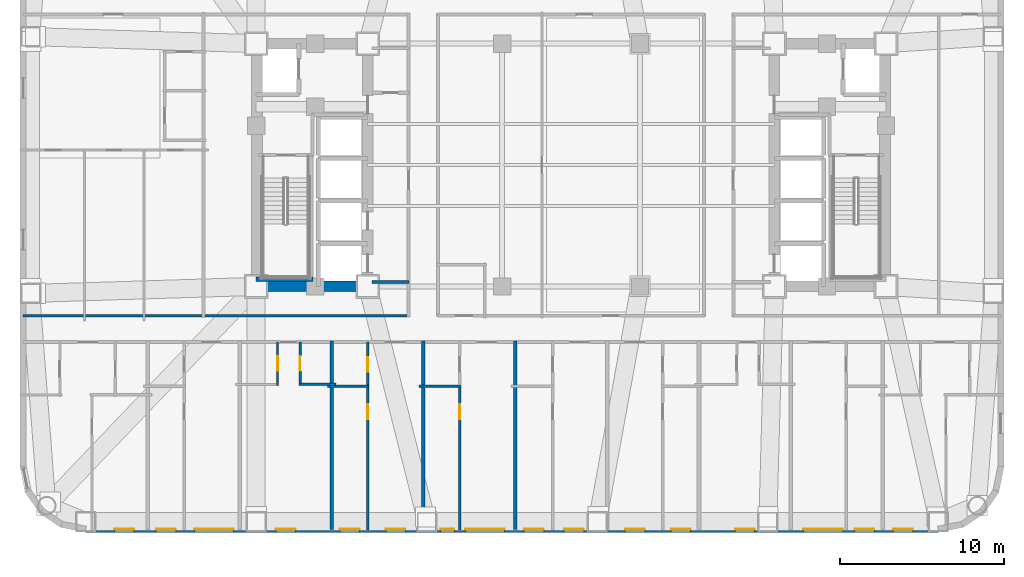
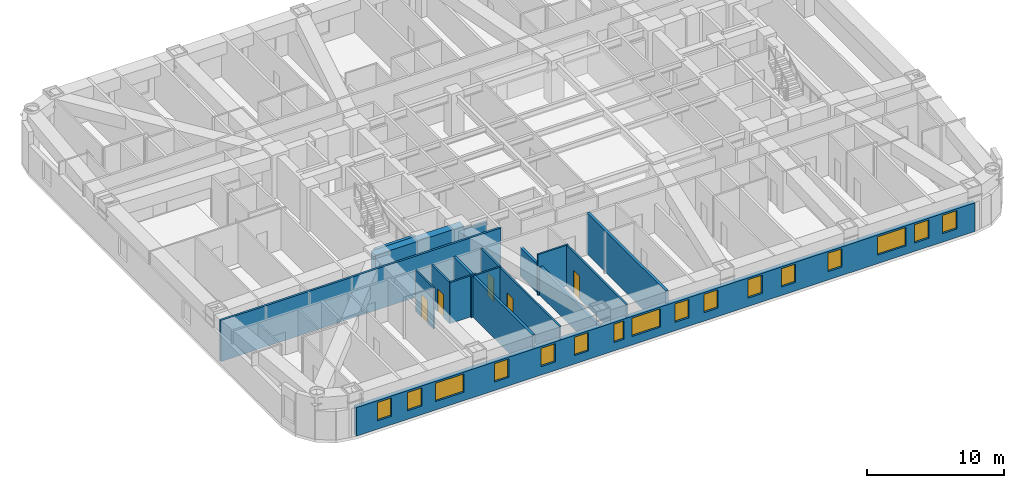
# One storey, part 3 of 12: 16 walls, 16 windows, 5 doors, 21 openings.
"""IFC4 building model written with IfcOpenShell, lengths in metres."""

from ifc_helpers import new_model, si_unit, direction, frame, frame_2d, origin, place, context, subcontext, project, spatial, rectangle, extrude, material, layer, layer_set, type_object, element, fill, save


model = new_model("IFC4")

# Units and contexts
model_context = context("Model", 3, precision=1e-05, world=origin(), true_north=direction((0.0, 1.0)))
body_context = subcontext(model_context, "Body", "Model", "MODEL_VIEW")
ifc_project = project(units=[si_unit("LENGTHUNIT", "METRE"), si_unit("AREAUNIT", "SQUARE_METRE"), si_unit("VOLUMEUNIT", "CUBIC_METRE"), si_unit("PLANEANGLEUNIT", "RADIAN"), si_unit("MASSUNIT", "GRAM", prefix="KILO")], contexts=[model_context])

# Site, building, storey
site_placement = place(None, origin())
site = spatial("IfcSite", under=ifc_project, at=site_placement, CompositionType="ELEMENT")
building_placement = place(site_placement, origin())
building = spatial("IfcBuilding", under=site, at=building_placement, Name="Voryun Gate Residences", CompositionType="ELEMENT")
storey_placement = place(building_placement, frame((0.0, 0.0, 29.89990234375)))
storey = spatial("IfcBuildingStorey", under=building, at=storey_placement, Name="L06", CompositionType="ELEMENT", Elevation=29.89990234375)

# Walls
ifc_material_1 = material(Name="Concrete C60/75", Category="concrete")
ifc_layer_1 = layer(ifc_material_1, 0.64990234375, Name="CW_CORE_650")
ifc_layer_set_1 = layer_set([ifc_layer_1], Name="Concrete C60/75")
wall_type_1 = type_object("IfcWallType", Name="CW_CORE_650", PredefinedType="SHEAR", material=ifc_layer_set_1)
wall_1_placement = place(storey_placement, frame((-19.52490234375, -7.39990234375, 0.0), z_axis=(0.0, 0.0, 1.0), x_axis=(1.0, 0.0, 0.0)))
element("IfcWall", 1, at=wall_1_placement, inside=storey, type_object=wall_type_1, Name="L06 Core shear wall CW-L06-WS", PredefinedType="SHEAR", context=body_context, shape_type="SweptSolid", body=[
    extrude(rectangle(XDim=7.449951171875, YDim=0.64990234375, at=frame_2d((3.72509765625, 0.0))), origin(), (0.0, 0.0, 1.0), 3.650146484375),
])
ifc_material_2 = material(Name="Gypsum acoustic fireboard")
ifc_layer_2 = layer(ifc_material_2, 0.179931640625, Name="W_CORR_RATED_180")
ifc_layer_set_2 = layer_set([ifc_layer_2], Name="Gypsum acoustic fireboard")
wall_type_2 = type_object("IfcWallType", Name="W_CORR_RATED_180", PredefinedType="PARTITIONING", material=ifc_layer_set_2)
wall_2_placement = place(storey_placement, frame((-12.14990234375, -7.1201171875, 0.0), z_axis=(0.0, 0.0, 1.0), x_axis=(1.0, 0.0, 0.0)))
element("IfcWall", 2, at=wall_2_placement, inside=storey, type_object=wall_type_2, Name="Partition wall WP-L06-PLBS-W", PredefinedType="PARTITIONING", context=body_context, shape_type="SweptSolid", body=[
    extrude(rectangle(XDim=2.27001953125, YDim=0.179931640625, at=frame_2d((1.135009765625, 0.0))), origin(), (0.0, 0.0, 1.0), 2.940185546875),
])
wall_3_placement = place(storey_placement, frame((-33.409912109375, -9.18994140625, 0.0), z_axis=(0.0, 0.0, 1.0), x_axis=(1.0, 0.0, 0.0)))
element("IfcWall", 3, at=wall_3_placement, inside=storey, type_object=wall_type_2, Name="Partition wall WP-L06-CWING-WS", PredefinedType="PARTITIONING", context=body_context, shape_type="SweptSolid", body=[
    extrude(rectangle(XDim=23.530029296875, YDim=0.179931640625, at=frame_2d((11.76513671875, 0.0))), origin(), (0.0, 0.0, 1.0), 3.650146484375),
])

# Wall, openings, windows
ifc_material_3 = material(Name="Granite masonry", Category="masonry")
ifc_layer_3 = layer(ifc_material_3, 0.3798828125, Name="W_EXT_GRANITE_380")
ifc_layer_set_3 = layer_set([ifc_layer_3], Name="Granite masonry")
wall_type_3 = type_object("IfcWallType", Name="W_EXT_GRANITE_380", PredefinedType="ELEMENTEDWALL", material=ifc_layer_set_3)
wall_4_placement = place(storey_placement, frame((22.38134765625, -22.2099609375, 0.0), z_axis=(0.0, 0.0, 1.0), x_axis=(-1.0, 0.0, 0.0)))
wall_4 = element("IfcWall", 4, at=wall_4_placement, inside=storey, type_object=wall_type_3, Name="Exterior wall WEXT-L06-01", PredefinedType="ELEMENTEDWALL", context=body_context, shape_type="SweptSolid", body=[
    extrude(rectangle(XDim=51.962646484375, YDim=0.3798828125, at=frame_2d((25.9814453125, 0.0))), origin(), (0.0, 0.0, 1.0), 2.5400390625),
])
opening_1_placement = place(wall_4_placement, frame((5.810302734375, 0.0, 0.75)))
opening_1 = element("IfcOpeningElement", 5, at=opening_1_placement, cuts=wall_4, Name="Opening WN2", PredefinedType="OPENING", context=body_context, shape_type="SweptSolid", body=[
    extrude(rectangle(XDim=2.39990234375, YDim=1.6298828125, at=frame_2d((1.199951171875, 0.81494140625))), frame((0.0, 0.199951171875, 0.0), z_axis=(0.0, -1.0, 0.0), x_axis=(1.0, 0.0, 0.0)), (0.0, 0.0, 1.0), 0.39990234375),
])
opening_2_placement = place(wall_4_placement, frame((26.431396484375, 0.0, 0.75)))
opening_2 = element("IfcOpeningElement", 6, at=opening_2_placement, cuts=wall_4, Name="Opening WN2", PredefinedType="OPENING", context=body_context, shape_type="SweptSolid", body=[
    extrude(rectangle(XDim=2.39990234375, YDim=1.6298828125, at=frame_2d((1.199951171875, 0.81494140625))), frame((0.0, 0.199951171875, 0.0), z_axis=(0.0, -1.0, 0.0), x_axis=(1.0, 0.0, 0.0)), (0.0, 0.0, 1.0), 0.39990234375),
])
opening_3_placement = place(wall_4_placement, frame((42.9521484375, 0.0, 0.75)))
opening_3 = element("IfcOpeningElement", 7, at=opening_3_placement, cuts=wall_4, Name="Opening WN2", PredefinedType="OPENING", context=body_context, shape_type="SweptSolid", body=[
    extrude(rectangle(XDim=2.39990234375, YDim=1.6298828125, at=frame_2d((1.199951171875, 0.81494140625))), frame((0.0, 0.199951171875, 0.0), z_axis=(0.0, -1.0, 0.0), x_axis=(1.0, 0.0, 0.0)), (0.0, 0.0, 1.0), 0.39990234375),
])
opening_4_placement = place(wall_4_placement, frame((49.02685546875, 0.0, 0.75)))
opening_4 = element("IfcOpeningElement", 8, at=opening_4_placement, cuts=wall_4, Name="Opening WN6", PredefinedType="OPENING", context=body_context, shape_type="SweptSolid", body=[
    extrude(rectangle(XDim=1.199951171875, YDim=1.6298828125, at=frame_2d((0.60009765625, 0.81494140625))), frame((0.0, 0.199951171875, 0.0), z_axis=(0.0, -1.0, 0.0), x_axis=(1.0, 0.0, 0.0)), (0.0, 0.0, 1.0), 0.39990234375),
])
opening_5_placement = place(wall_4_placement, frame((46.476318359375, 0.0, 0.75)))
opening_5 = element("IfcOpeningElement", 9, at=opening_5_placement, cuts=wall_4, Name="Opening WN6", PredefinedType="OPENING", context=body_context, shape_type="SweptSolid", body=[
    extrude(rectangle(XDim=1.199951171875, YDim=1.6298828125, at=frame_2d((0.60009765625, 0.81494140625))), frame((0.0, 0.199951171875, 0.0), z_axis=(0.0, -1.0, 0.0), x_axis=(1.0, 0.0, 0.0)), (0.0, 0.0, 1.0), 0.39990234375),
])
opening_6_placement = place(wall_4_placement, frame((39.181396484375, 0.0, 0.75)))
opening_6 = element("IfcOpeningElement", 10, at=opening_6_placement, cuts=wall_4, Name="Opening WN6", PredefinedType="OPENING", context=body_context, shape_type="SweptSolid", body=[
    extrude(rectangle(XDim=1.199951171875, YDim=1.6298828125, at=frame_2d((0.60009765625, 0.81494140625))), frame((0.0, 0.199951171875, 0.0), z_axis=(0.0, -1.0, 0.0), x_axis=(1.0, 0.0, 0.0)), (0.0, 0.0, 1.0), 0.39990234375),
])
opening_7_placement = place(wall_4_placement, frame((32.476318359375, 0.0, 0.75)))
opening_7 = element("IfcOpeningElement", 11, at=opening_7_placement, cuts=wall_4, Name="Opening WN6", PredefinedType="OPENING", context=body_context, shape_type="SweptSolid", body=[
    extrude(rectangle(XDim=1.199951171875, YDim=1.6298828125, at=frame_2d((0.60009765625, 0.81494140625))), frame((0.0, 0.199951171875, 0.0), z_axis=(0.0, -1.0, 0.0), x_axis=(1.0, 0.0, 0.0)), (0.0, 0.0, 1.0), 0.39990234375),
])
opening_8_placement = place(wall_4_placement, frame((35.2763671875, 0.0, 0.75)))
opening_8 = element("IfcOpeningElement", 12, at=opening_8_placement, cuts=wall_4, Name="Opening WN6", PredefinedType="OPENING", context=body_context, shape_type="SweptSolid", body=[
    extrude(rectangle(XDim=1.199951171875, YDim=1.6298828125, at=frame_2d((0.60009765625, 0.81494140625))), frame((0.0, 0.199951171875, 0.0), z_axis=(0.0, -1.0, 0.0), x_axis=(1.0, 0.0, 0.0)), (0.0, 0.0, 1.0), 0.39990234375),
])
opening_9_placement = place(wall_4_placement, frame((29.4912109375, 0.0, 0.75)))
opening_9 = element("IfcOpeningElement", 13, at=opening_9_placement, cuts=wall_4, Name="Opening WN9", PredefinedType="OPENING", context=body_context, shape_type="SweptSolid", body=[
    extrude(rectangle(XDim=0.85009765625, YDim=1.6298828125, at=frame_2d((0.425048828125, 0.81494140625))), frame((0.0, 0.199951171875, 0.0), z_axis=(0.0, -1.0, 0.0), x_axis=(1.0, 0.0, 0.0)), (0.0, 0.0, 1.0), 0.39990234375),
])
opening_10_placement = place(wall_4_placement, frame((21.59619140625, 0.0, 0.75)))
opening_10 = element("IfcOpeningElement", 14, at=opening_10_placement, cuts=wall_4, Name="Opening WN6", PredefinedType="OPENING", context=body_context, shape_type="SweptSolid", body=[
    extrude(rectangle(XDim=1.199951171875, YDim=1.6298828125, at=frame_2d((0.60009765625, 0.81494140625))), frame((0.0, 0.199951171875, 0.0), z_axis=(0.0, -1.0, 0.0), x_axis=(1.0, 0.0, 0.0)), (0.0, 0.0, 1.0), 0.39990234375),
])
opening_11_placement = place(wall_4_placement, frame((24.036376953125, 0.0, 0.75)))
opening_11 = element("IfcOpeningElement", 15, at=opening_11_placement, cuts=wall_4, Name="Opening WN6", PredefinedType="OPENING", context=body_context, shape_type="SweptSolid", body=[
    extrude(rectangle(XDim=1.199951171875, YDim=1.6298828125, at=frame_2d((0.60009765625, 0.81494140625))), frame((0.0, 0.199951171875, 0.0), z_axis=(0.0, -1.0, 0.0), x_axis=(1.0, 0.0, 0.0)), (0.0, 0.0, 1.0), 0.39990234375),
])
opening_12_placement = place(wall_4_placement, frame((17.88623046875, 0.0, 0.75)))
opening_12 = element("IfcOpeningElement", 16, at=opening_12_placement, cuts=wall_4, Name="Opening WN6", PredefinedType="OPENING", context=body_context, shape_type="SweptSolid", body=[
    extrude(rectangle(XDim=1.199951171875, YDim=1.6298828125, at=frame_2d((0.60009765625, 0.81494140625))), frame((0.0, 0.199951171875, 0.0), z_axis=(0.0, -1.0, 0.0), x_axis=(1.0, 0.0, 0.0)), (0.0, 0.0, 1.0), 0.39990234375),
])
opening_13_placement = place(wall_4_placement, frame((15.086181640625, 0.0, 0.75)))
opening_13 = element("IfcOpeningElement", 17, at=opening_13_placement, cuts=wall_4, Name="Opening WN6", PredefinedType="OPENING", context=body_context, shape_type="SweptSolid", body=[
    extrude(rectangle(XDim=1.199951171875, YDim=1.6298828125, at=frame_2d((0.60009765625, 0.81494140625))), frame((0.0, 0.199951171875, 0.0), z_axis=(0.0, -1.0, 0.0), x_axis=(1.0, 0.0, 0.0)), (0.0, 0.0, 1.0), 0.39990234375),
])
opening_14_placement = place(wall_4_placement, frame((11.181396484375, 0.0, 0.75)))
opening_14 = element("IfcOpeningElement", 18, at=opening_14_placement, cuts=wall_4, Name="Opening WN6", PredefinedType="OPENING", context=body_context, shape_type="SweptSolid", body=[
    extrude(rectangle(XDim=1.199951171875, YDim=1.6298828125, at=frame_2d((0.60009765625, 0.81494140625))), frame((0.0, 0.199951171875, 0.0), z_axis=(0.0, -1.0, 0.0), x_axis=(1.0, 0.0, 0.0)), (0.0, 0.0, 1.0), 0.39990234375),
])
opening_15_placement = place(wall_4_placement, frame((3.88623046875, 0.0, 0.75)))
opening_15 = element("IfcOpeningElement", 19, at=opening_15_placement, cuts=wall_4, Name="Opening WN6", PredefinedType="OPENING", context=body_context, shape_type="SweptSolid", body=[
    extrude(rectangle(XDim=1.199951171875, YDim=1.6298828125, at=frame_2d((0.60009765625, 0.81494140625))), frame((0.0, 0.199951171875, 0.0), z_axis=(0.0, -1.0, 0.0), x_axis=(1.0, 0.0, 0.0)), (0.0, 0.0, 1.0), 0.39990234375),
])
opening_16_placement = place(wall_4_placement, frame((1.53564453125, 0.0, 0.75)))
opening_16 = element("IfcOpeningElement", 20, at=opening_16_placement, cuts=wall_4, Name="Opening WN6", PredefinedType="OPENING", context=body_context, shape_type="SweptSolid", body=[
    extrude(rectangle(XDim=1.199951171875, YDim=1.6298828125, at=frame_2d((0.60009765625, 0.81494140625))), frame((0.0, 0.199951171875, 0.0), z_axis=(0.0, -1.0, 0.0), x_axis=(1.0, 0.0, 0.0)), (0.0, 0.0, 1.0), 0.39990234375),
])
ifc_material_4 = material(Name="Laminated low-E glass", Category="glass")
window_type_1 = type_object("IfcWindowType", Name="WN_POD_SLOT_1200", PartitioningType="SINGLE_PANEL", PredefinedType="WINDOW", material=ifc_material_4)
window_1_placement = place(opening_4_placement, origin())
window_1 = element("IfcWindow", 21, at=window_1_placement, inside=storey, type_object=window_type_1, Name="Window WN-L06-DWFIX-17", OverallHeight=1.6298828125, OverallWidth=1.199951171875, PartitioningType="SINGLE_PANEL", PredefinedType="WINDOW", context=body_context, shape_type="SweptSolid", body=[
    extrude(rectangle(XDim=1.199951171875, YDim=1.6298828125, at=frame_2d((0.60009765625, 0.81494140625))), frame((0.0, 0.030029296875, 0.0), z_axis=(0.0, -1.0, 0.0), x_axis=(1.0, 0.0, 0.0)), (0.0, 0.0, 1.0), 0.06005859375),
])
fill(opening_4, window_1)
window_2_placement = place(opening_5_placement, origin())
window_2 = element("IfcWindow", 22, at=window_2_placement, inside=storey, type_object=window_type_1, Name="Window WN-L06-DWFIX-18", OverallHeight=1.6298828125, OverallWidth=1.199951171875, PartitioningType="SINGLE_PANEL", PredefinedType="WINDOW", context=body_context, shape_type="SweptSolid", body=[
    extrude(rectangle(XDim=1.199951171875, YDim=1.6298828125, at=frame_2d((0.60009765625, 0.81494140625))), frame((0.0, 0.030029296875, 0.0), z_axis=(0.0, -1.0, 0.0), x_axis=(1.0, 0.0, 0.0)), (0.0, 0.0, 1.0), 0.06005859375),
])
fill(opening_5, window_2)
window_3_placement = place(opening_6_placement, origin())
window_3 = element("IfcWindow", 23, at=window_3_placement, inside=storey, type_object=window_type_1, Name="Window WN-L06-DWFIX-19", OverallHeight=1.6298828125, OverallWidth=1.199951171875, PartitioningType="SINGLE_PANEL", PredefinedType="WINDOW", context=body_context, shape_type="SweptSolid", body=[
    extrude(rectangle(XDim=1.199951171875, YDim=1.6298828125, at=frame_2d((0.60009765625, 0.81494140625))), frame((0.0, 0.030029296875, 0.0), z_axis=(0.0, -1.0, 0.0), x_axis=(1.0, 0.0, 0.0)), (0.0, 0.0, 1.0), 0.06005859375),
])
fill(opening_6, window_3)
window_4_placement = place(opening_7_placement, origin())
window_4 = element("IfcWindow", 24, at=window_4_placement, inside=storey, type_object=window_type_1, Name="Window WN-L06-DWFIX-20", OverallHeight=1.6298828125, OverallWidth=1.199951171875, PartitioningType="SINGLE_PANEL", PredefinedType="WINDOW", context=body_context, shape_type="SweptSolid", body=[
    extrude(rectangle(XDim=1.199951171875, YDim=1.6298828125, at=frame_2d((0.60009765625, 0.81494140625))), frame((0.0, 0.030029296875, 0.0), z_axis=(0.0, -1.0, 0.0), x_axis=(1.0, 0.0, 0.0)), (0.0, 0.0, 1.0), 0.06005859375),
])
fill(opening_7, window_4)
window_5_placement = place(opening_8_placement, origin())
window_5 = element("IfcWindow", 25, at=window_5_placement, inside=storey, type_object=window_type_1, Name="Window WN-L06-DWFIX-21", OverallHeight=1.6298828125, OverallWidth=1.199951171875, PartitioningType="SINGLE_PANEL", PredefinedType="WINDOW", context=body_context, shape_type="SweptSolid", body=[
    extrude(rectangle(XDim=1.199951171875, YDim=1.6298828125, at=frame_2d((0.60009765625, 0.81494140625))), frame((0.0, 0.030029296875, 0.0), z_axis=(0.0, -1.0, 0.0), x_axis=(1.0, 0.0, 0.0)), (0.0, 0.0, 1.0), 0.06005859375),
])
fill(opening_8, window_5)
window_6_placement = place(opening_10_placement, origin())
window_6 = element("IfcWindow", 26, at=window_6_placement, inside=storey, type_object=window_type_1, Name="Window WN-L06-DWFIX-23", OverallHeight=1.6298828125, OverallWidth=1.199951171875, PartitioningType="SINGLE_PANEL", PredefinedType="WINDOW", context=body_context, shape_type="SweptSolid", body=[
    extrude(rectangle(XDim=1.199951171875, YDim=1.6298828125, at=frame_2d((0.60009765625, 0.81494140625))), frame((0.0, 0.030029296875, 0.0), z_axis=(0.0, -1.0, 0.0), x_axis=(1.0, 0.0, 0.0)), (0.0, 0.0, 1.0), 0.06005859375),
])
fill(opening_10, window_6)
window_7_placement = place(opening_11_placement, origin())
window_7 = element("IfcWindow", 27, at=window_7_placement, inside=storey, type_object=window_type_1, Name="Window WN-L06-DWFIX-24", OverallHeight=1.6298828125, OverallWidth=1.199951171875, PartitioningType="SINGLE_PANEL", PredefinedType="WINDOW", context=body_context, shape_type="SweptSolid", body=[
    extrude(rectangle(XDim=1.199951171875, YDim=1.6298828125, at=frame_2d((0.60009765625, 0.81494140625))), frame((0.0, 0.030029296875, 0.0), z_axis=(0.0, -1.0, 0.0), x_axis=(1.0, 0.0, 0.0)), (0.0, 0.0, 1.0), 0.06005859375),
])
fill(opening_11, window_7)
window_8_placement = place(opening_12_placement, origin())
window_8 = element("IfcWindow", 28, at=window_8_placement, inside=storey, type_object=window_type_1, Name="Window WN-L06-DWFIX-25", OverallHeight=1.6298828125, OverallWidth=1.199951171875, PartitioningType="SINGLE_PANEL", PredefinedType="WINDOW", context=body_context, shape_type="SweptSolid", body=[
    extrude(rectangle(XDim=1.199951171875, YDim=1.6298828125, at=frame_2d((0.60009765625, 0.81494140625))), frame((0.0, 0.030029296875, 0.0), z_axis=(0.0, -1.0, 0.0), x_axis=(1.0, 0.0, 0.0)), (0.0, 0.0, 1.0), 0.06005859375),
])
fill(opening_12, window_8)
window_9_placement = place(opening_13_placement, origin())
window_9 = element("IfcWindow", 29, at=window_9_placement, inside=storey, type_object=window_type_1, Name="Window WN-L06-DWFIX-26", OverallHeight=1.6298828125, OverallWidth=1.199951171875, PartitioningType="SINGLE_PANEL", PredefinedType="WINDOW", context=body_context, shape_type="SweptSolid", body=[
    extrude(rectangle(XDim=1.199951171875, YDim=1.6298828125, at=frame_2d((0.60009765625, 0.81494140625))), frame((0.0, 0.030029296875, 0.0), z_axis=(0.0, -1.0, 0.0), x_axis=(1.0, 0.0, 0.0)), (0.0, 0.0, 1.0), 0.06005859375),
])
fill(opening_13, window_9)
window_10_placement = place(opening_14_placement, origin())
window_10 = element("IfcWindow", 30, at=window_10_placement, inside=storey, type_object=window_type_1, Name="Window WN-L06-DWFIX-27", OverallHeight=1.6298828125, OverallWidth=1.199951171875, PartitioningType="SINGLE_PANEL", PredefinedType="WINDOW", context=body_context, shape_type="SweptSolid", body=[
    extrude(rectangle(XDim=1.199951171875, YDim=1.6298828125, at=frame_2d((0.60009765625, 0.81494140625))), frame((0.0, 0.030029296875, 0.0), z_axis=(0.0, -1.0, 0.0), x_axis=(1.0, 0.0, 0.0)), (0.0, 0.0, 1.0), 0.06005859375),
])
fill(opening_14, window_10)
window_11_placement = place(opening_15_placement, origin())
window_11 = element("IfcWindow", 31, at=window_11_placement, inside=storey, type_object=window_type_1, Name="Window WN-L06-DWFIX-28", OverallHeight=1.6298828125, OverallWidth=1.199951171875, PartitioningType="SINGLE_PANEL", PredefinedType="WINDOW", context=body_context, shape_type="SweptSolid", body=[
    extrude(rectangle(XDim=1.199951171875, YDim=1.6298828125, at=frame_2d((0.60009765625, 0.81494140625))), frame((0.0, 0.030029296875, 0.0), z_axis=(0.0, -1.0, 0.0), x_axis=(1.0, 0.0, 0.0)), (0.0, 0.0, 1.0), 0.06005859375),
])
fill(opening_15, window_11)
window_12_placement = place(opening_16_placement, origin())
window_12 = element("IfcWindow", 32, at=window_12_placement, inside=storey, type_object=window_type_1, Name="Window WN-L06-DWFIX-29", OverallHeight=1.6298828125, OverallWidth=1.199951171875, PartitioningType="SINGLE_PANEL", PredefinedType="WINDOW", context=body_context, shape_type="SweptSolid", body=[
    extrude(rectangle(XDim=1.199951171875, YDim=1.6298828125, at=frame_2d((0.60009765625, 0.81494140625))), frame((0.0, 0.030029296875, 0.0), z_axis=(0.0, -1.0, 0.0), x_axis=(1.0, 0.0, 0.0)), (0.0, 0.0, 1.0), 0.06005859375),
])
fill(opening_16, window_12)
ifc_material_5 = material(Name="Laminated low-E glass", Category="glass")
window_type_2 = type_object("IfcWindowType", Name="WN_RES_CASEMENT_850", PartitioningType="SINGLE_PANEL", PredefinedType="WINDOW", material=ifc_material_5)
window_13_placement = place(opening_9_placement, origin())
window_13 = element("IfcWindow", 33, at=window_13_placement, inside=storey, type_object=window_type_2, Name="Window WN-L06-DWFIX-22", OverallHeight=1.6298828125, OverallWidth=0.85009765625, PartitioningType="SINGLE_PANEL", PredefinedType="WINDOW", context=body_context, shape_type="SweptSolid", body=[
    extrude(rectangle(XDim=0.85009765625, YDim=1.6298828125, at=frame_2d((0.425048828125, 0.81494140625))), frame((0.0, 0.030029296875, 0.0), z_axis=(0.0, -1.0, 0.0), x_axis=(1.0, 0.0, 0.0)), (0.0, 0.0, 1.0), 0.06005859375),
])
fill(opening_9, window_13)
ifc_material_6 = material(Name="Laminated low-E glass", Category="glass")
window_type_3 = type_object("IfcWindowType", Name="WN_RES_WIDE_2400", PartitioningType="SINGLE_PANEL", PredefinedType="WINDOW", material=ifc_material_6)
window_14_placement = place(opening_1_placement, origin())
window_14 = element("IfcWindow", 34, at=window_14_placement, inside=storey, type_object=window_type_3, Name="Window WN-WEXT-L06-01-01", OverallHeight=1.6298828125, OverallWidth=2.39990234375, PartitioningType="SINGLE_PANEL", PredefinedType="WINDOW", context=body_context, shape_type="SweptSolid", body=[
    extrude(rectangle(XDim=2.39990234375, YDim=1.6298828125, at=frame_2d((1.199951171875, 0.81494140625))), frame((0.0, 0.030029296875, 0.0), z_axis=(0.0, -1.0, 0.0), x_axis=(1.0, 0.0, 0.0)), (0.0, 0.0, 1.0), 0.06005859375),
])
fill(opening_1, window_14)
window_15_placement = place(opening_2_placement, origin())
window_15 = element("IfcWindow", 35, at=window_15_placement, inside=storey, type_object=window_type_3, Name="Window WN-WEXT-L06-01-02", OverallHeight=1.6298828125, OverallWidth=2.39990234375, PartitioningType="SINGLE_PANEL", PredefinedType="WINDOW", context=body_context, shape_type="SweptSolid", body=[
    extrude(rectangle(XDim=2.39990234375, YDim=1.6298828125, at=frame_2d((1.199951171875, 0.81494140625))), frame((0.0, 0.030029296875, 0.0), z_axis=(0.0, -1.0, 0.0), x_axis=(1.0, 0.0, 0.0)), (0.0, 0.0, 1.0), 0.06005859375),
])
fill(opening_2, window_15)
window_16_placement = place(opening_3_placement, origin())
window_16 = element("IfcWindow", 36, at=window_16_placement, inside=storey, type_object=window_type_3, Name="Window WN-WEXT-L06-01-03", OverallHeight=1.6298828125, OverallWidth=2.39990234375, PartitioningType="SINGLE_PANEL", PredefinedType="WINDOW", context=body_context, shape_type="SweptSolid", body=[
    extrude(rectangle(XDim=2.39990234375, YDim=1.6298828125, at=frame_2d((1.199951171875, 0.81494140625))), frame((0.0, 0.030029296875, 0.0), z_axis=(0.0, -1.0, 0.0), x_axis=(1.0, 0.0, 0.0)), (0.0, 0.0, 1.0), 0.06005859375),
])
fill(opening_3, window_16)

# Walls
ifc_material_7 = material(Name="Concrete C40/50", Category="concrete")
ifc_layer_4 = layer(ifc_material_7, 0.219970703125, Name="W_PARTY_ACOUSTIC_220")
ifc_layer_set_4 = layer_set([ifc_layer_4], Name="Concrete C40/50")
wall_type_4 = type_object("IfcWallType", Name="W_PARTY_ACOUSTIC_220", PredefinedType="PARTITIONING", material=ifc_layer_set_4)
wall_5_placement = place(storey_placement, frame((-14.60009765625, -22.2099609375, 0.0), z_axis=(0.0, 0.0, 1.0), x_axis=(0.0, 1.0, 0.0)))
element("IfcWall", 37, at=wall_5_placement, inside=storey, type_object=wall_type_4, Name="Partition wall WP-L06-SPTY-3", PredefinedType="PARTITIONING", context=body_context, shape_type="SweptSolid", body=[
    extrude(rectangle(XDim=11.489990234375, YDim=0.219970703125, at=frame_2d((5.7451171875, 0.0))), origin(), (0.0, 0.0, 1.0), 3.650146484375),
])
wall_6_placement = place(storey_placement, frame((-9.0, -22.2099609375, 0.0), z_axis=(0.0, 0.0, 1.0), x_axis=(0.0, 1.0, 0.0)))
element("IfcWall", 38, at=wall_6_placement, inside=storey, type_object=wall_type_4, Name="Partition wall WP-L06-SPTY-4", PredefinedType="PARTITIONING", context=body_context, shape_type="SweptSolid", body=[
    extrude(rectangle(XDim=11.489990234375, YDim=0.219970703125, at=frame_2d((5.7451171875, 0.0))), origin(), (0.0, 0.0, 1.0), 2.5400390625),
])
wall_7_placement = place(storey_placement, frame((-3.39990234375, -22.2099609375, 0.0), z_axis=(0.0, 0.0, 1.0), x_axis=(0.0, 1.0, 0.0)))
element("IfcWall", 39, at=wall_7_placement, inside=storey, type_object=wall_type_4, Name="Partition wall WP-L06-SPTY-5", PredefinedType="PARTITIONING", context=body_context, shape_type="SweptSolid", body=[
    extrude(rectangle(XDim=11.489990234375, YDim=0.219970703125, at=frame_2d((5.7451171875, 0.0))), origin(), (0.0, 0.0, 1.0), 3.650146484375),
])
ifc_material_8 = material(Name="Concrete C50/60", Category="concrete")
ifc_layer_5 = layer(ifc_material_8, 0.25, Name="W_SHAFT_RC250")
ifc_layer_set_5 = layer_set([ifc_layer_5], Name="Concrete C50/60")
wall_type_5 = type_object("IfcWallType", Name="W_SHAFT_RC250", PredefinedType="SOLIDWALL", material=ifc_layer_set_5)
wall_8_placement = place(storey_placement, frame((-19.199951171875, -6.965087890625, 0.0), z_axis=(0.0, 0.0, 1.0), x_axis=(1.0, 0.0, 0.0)))
element("IfcWall", 40, at=wall_8_placement, inside=storey, type_object=wall_type_5, Name="L06 Stair shaft structural wall W-STS", PredefinedType="SOLIDWALL", context=body_context, shape_type="SweptSolid", body=[
    extrude(rectangle(XDim=3.4599609375, YDim=0.25, at=frame_2d((1.72998046875, 0.0))), origin(), (0.0, 0.0, 1.0), 3.650146484375),
])

# Wall, opening, door
ifc_material_9 = material(Name="Gypsum acoustic partition")
ifc_layer_6 = layer(ifc_material_9, 0.125, Name="W_UNIT_PART_125")
ifc_layer_set_6 = layer_set([ifc_layer_6], Name="Gypsum acoustic partition")
wall_type_6 = type_object("IfcWallType", Name="W_UNIT_PART_125", PredefinedType="PARTITIONING", material=ifc_layer_set_6)
wall_9_placement = place(storey_placement, frame((-17.889892578125, -13.429931640625, 0.0), z_axis=(0.0, 0.0, 1.0), x_axis=(0.0, 1.0, 0.0)))
wall_9 = element("IfcWall", 41, at=wall_9_placement, inside=storey, type_object=wall_type_6, Name="Partition wall WP-L06-S3-CVK", PredefinedType="PARTITIONING", context=body_context, shape_type="SweptSolid", body=[
    extrude(rectangle(XDim=2.64990234375, YDim=0.125, at=frame_2d((1.324951171875, 0.0))), origin(), (0.0, 0.0, 1.0), 3.650146484375),
])
opening_17_placement = place(wall_9_placement, frame((0.875, 0.0, 0.0)))
opening_17 = element("IfcOpeningElement", 42, at=opening_17_placement, cuts=wall_9, Name="Opening D-INT-2", PredefinedType="OPENING", context=body_context, shape_type="SweptSolid", body=[
    extrude(rectangle(XDim=0.89990234375, YDim=2.050048828125, at=frame_2d((0.449951171875, 1.02490234375))), frame((0.0, 0.072509765625, 0.0), z_axis=(0.0, -1.0, 0.0), x_axis=(1.0, 0.0, 0.0)), (0.0, 0.0, 1.0), 0.14501953125),
])
ifc_material_10 = material(Name="Architectural oak veneer")
door_type = type_object("IfcDoorType", Name="DR_INT_BATH_900", OperationType="NOTDEFINED", PredefinedType="DOOR", material=ifc_material_10)
door_1_placement = place(opening_17_placement, origin())
door_1 = element("IfcDoor", 43, at=door_1_placement, inside=storey, type_object=door_type, Name="Door DR-L06-S3-DK", OperationType="SINGLE_SWING_LEFT", OverallHeight=2.050048828125, OverallWidth=0.89990234375, PredefinedType="DOOR", context=body_context, shape_type="SweptSolid", body=[
    extrude(rectangle(XDim=0.89990234375, YDim=2.050048828125, at=frame_2d((0.449951171875, 1.02490234375))), frame((0.0, 0.02490234375, 0.0), z_axis=(0.0, -1.0, 0.0), x_axis=(1.0, 0.0, 0.0)), (0.0, 0.0, 1.0), 0.050048828125),
])
fill(opening_17, door_1)

ifc_material_11 = material(Name="Gypsum moisture-resistant partition")
ifc_layer_7 = layer(ifc_material_11, 0.14990234375, Name="W_WET_PLUMB_150")
ifc_layer_set_7 = layer_set([ifc_layer_7], Name="Gypsum moisture-resistant partition")
wall_type_7 = type_object("IfcWallType", Name="W_WET_PLUMB_150", PredefinedType="PLUMBINGWALL", material=ifc_layer_set_7)
wall_10_placement = place(storey_placement, frame((-16.52294921875, -13.429931640625, 0.0), z_axis=(0.0, 0.0, 1.0), x_axis=(0.0, 1.0, 0.0)))
wall_10 = element("IfcWall", 44, at=wall_10_placement, inside=storey, type_object=wall_type_7, Name="Partition wall WP-L06-S3-CVB", PredefinedType="PLUMBINGWALL", context=body_context, shape_type="SweptSolid", body=[
    extrude(rectangle(XDim=2.64990234375, YDim=0.14990234375, at=frame_2d((1.324951171875, 0.0))), origin(), (0.0, 0.0, 1.0), 3.650146484375),
])
opening_18_placement = place(wall_10_placement, frame((0.875, 0.0, 0.0)))
opening_18 = element("IfcOpeningElement", 45, at=opening_18_placement, cuts=wall_10, Name="Opening D-INT-2", PredefinedType="OPENING", context=body_context, shape_type="SweptSolid", body=[
    extrude(rectangle(XDim=0.89990234375, YDim=2.050048828125, at=frame_2d((0.449951171875, 1.02490234375))), frame((0.0, 0.0849609375, 0.0), z_axis=(0.0, -1.0, 0.0), x_axis=(1.0, 0.0, 0.0)), (0.0, 0.0, 1.0), 0.169921875),
])
door_2_placement = place(opening_18_placement, origin())
door_2 = element("IfcDoor", 46, at=door_2_placement, inside=storey, type_object=door_type, Name="Door DR-L06-S3-DB", OperationType="SINGLE_SWING_RIGHT", OverallHeight=2.050048828125, OverallWidth=0.89990234375, PredefinedType="DOOR", context=body_context, shape_type="SweptSolid", body=[
    extrude(rectangle(XDim=0.89990234375, YDim=2.050048828125, at=frame_2d((0.449951171875, 1.02490234375))), frame((0.0, 0.02490234375, 0.0), z_axis=(0.0, -1.0, 0.0), x_axis=(1.0, 0.0, 0.0)), (0.0, 0.0, 1.0), 0.050048828125),
])
fill(opening_18, door_2)

# Walls
wall_11_placement = place(storey_placement, frame((-16.5830078125, -13.3701171875, 0.0), z_axis=(0.0, 0.0, 1.0), x_axis=(1.0, 0.0, 0.0)))
element("IfcWall", 47, at=wall_11_placement, inside=storey, type_object=wall_type_7, Name="Partition wall WP-L06-S3-CHB", PredefinedType="PLUMBINGWALL", context=body_context, shape_type="SweptSolid", body=[
    extrude(rectangle(XDim=2.242919921875, YDim=0.14990234375, at=frame_2d((1.12158203125, 0.0))), origin(), (0.0, 0.0, 1.0), 3.650146484375),
])
wall_12_placement = place(storey_placement, frame((-14.860107421875, -13.5, 0.0), z_axis=(0.0, 0.0, 1.0), x_axis=(1.0, 0.0, 0.0)))
element("IfcWall", 48, at=wall_12_placement, inside=storey, type_object=wall_type_7, Name="Partition wall WP-L06-S4-SKB", PredefinedType="PLUMBINGWALL", context=body_context, shape_type="SweptSolid", body=[
    extrude(rectangle(XDim=2.550048828125, YDim=0.14990234375, at=frame_2d((1.27490234375, 0.0))), origin(), (0.0, 0.0, 1.0), 3.650146484375),
])

# Wall, opening, door
wall_13_placement = place(storey_placement, frame((-12.389892578125, -22.257568359375, 0.0), z_axis=(0.0, 0.0, 1.0), x_axis=(0.0, 1.0, 0.0)))
wall_13 = element("IfcWall", 49, at=wall_13_placement, inside=storey, type_object=wall_type_7, Name="Partition wall WP-L06-S4-SVT1", PredefinedType="PLUMBINGWALL", context=body_context, shape_type="SweptSolid", body=[
    extrude(rectangle(XDim=8.797607421875, YDim=0.14990234375, at=frame_2d((4.39892578125, 0.0))), origin(), (0.0, 0.0, 1.0), 3.650146484375),
])
opening_19_placement = place(wall_13_placement, frame((6.763916015625, 0.0, 0.0)))
opening_19 = element("IfcOpeningElement", 50, at=opening_19_placement, cuts=wall_13, Name="Opening D-INT-2", PredefinedType="OPENING", context=body_context, shape_type="SweptSolid", body=[
    extrude(rectangle(XDim=0.89990234375, YDim=2.050048828125, at=frame_2d((0.449951171875, 1.02490234375))), frame((0.0, 0.0849609375, 0.0), z_axis=(0.0, -1.0, 0.0), x_axis=(1.0, 0.0, 0.0)), (0.0, 0.0, 1.0), 0.169921875),
])
door_3_placement = place(opening_19_placement, origin())
door_3 = element("IfcDoor", 51, at=door_3_placement, inside=storey, type_object=door_type, Name="Door DR-L06-S4-DK", OperationType="SINGLE_SWING_LEFT", OverallHeight=2.050048828125, OverallWidth=0.89990234375, PredefinedType="DOOR", context=body_context, shape_type="SweptSolid", body=[
    extrude(rectangle(XDim=0.89990234375, YDim=2.050048828125, at=frame_2d((0.449951171875, 1.02490234375))), frame((0.0, 0.02490234375, 0.0), z_axis=(0.0, -1.0, 0.0), x_axis=(1.0, 0.0, 0.0)), (0.0, 0.0, 1.0), 0.050048828125),
])
fill(opening_19, door_3)

wall_14_placement = place(storey_placement, frame((-12.389892578125, -13.5400390625, 0.0), z_axis=(0.0, 0.0, 1.0), x_axis=(0.0, 1.0, 0.0)))
wall_14 = element("IfcWall", 52, at=wall_14_placement, inside=storey, type_object=wall_type_7, Name="Partition wall WP-L06-S4-SVT2", PredefinedType="PLUMBINGWALL", context=body_context, shape_type="SweptSolid", body=[
    extrude(rectangle(XDim=2.760009765625, YDim=0.14990234375, at=frame_2d((1.3798828125, 0.0))), origin(), (0.0, 0.0, 1.0), 3.650146484375),
])
opening_20_placement = place(wall_14_placement, frame((0.929931640625, 0.0, 0.0)))
opening_20 = element("IfcOpeningElement", 53, at=opening_20_placement, cuts=wall_14, Name="Opening D-INT-2", PredefinedType="OPENING", context=body_context, shape_type="SweptSolid", body=[
    extrude(rectangle(XDim=0.89990234375, YDim=2.050048828125, at=frame_2d((0.449951171875, 1.02490234375))), frame((0.0, 0.0849609375, 0.0), z_axis=(0.0, -1.0, 0.0), x_axis=(1.0, 0.0, 0.0)), (0.0, 0.0, 1.0), 0.169921875),
])
door_4_placement = place(opening_20_placement, origin())
door_4 = element("IfcDoor", 54, at=door_4_placement, inside=storey, type_object=door_type, Name="Door DR-L06-S4-DB", OperationType="SINGLE_SWING_RIGHT", OverallHeight=2.050048828125, OverallWidth=0.89990234375, PredefinedType="DOOR", context=body_context, shape_type="SweptSolid", body=[
    extrude(rectangle(XDim=0.89990234375, YDim=2.050048828125, at=frame_2d((0.449951171875, 1.02490234375))), frame((0.0, 0.02490234375, 0.0), z_axis=(0.0, -1.0, 0.0), x_axis=(1.0, 0.0, 0.0)), (0.0, 0.0, 1.0), 0.050048828125),
])
fill(opening_20, door_4)

# Wall
wall_15_placement = place(storey_placement, frame((-9.260009765625, -13.5, 0.0), z_axis=(0.0, 0.0, 1.0), x_axis=(1.0, 0.0, 0.0)))
element("IfcWall", 55, at=wall_15_placement, inside=storey, type_object=wall_type_7, Name="Partition wall WP-L06-S5-SKB", PredefinedType="PLUMBINGWALL", context=body_context, shape_type="SweptSolid", body=[
    extrude(rectangle(XDim=2.550048828125, YDim=0.14990234375, at=frame_2d((1.27490234375, 0.0))), origin(), (0.0, 0.0, 1.0), 3.650146484375),
])

# Wall, opening, door
wall_16_placement = place(storey_placement, frame((-6.7900390625, -22.257568359375, 0.0), z_axis=(0.0, 0.0, 1.0), x_axis=(0.0, 1.0, 0.0)))
wall_16 = element("IfcWall", 56, at=wall_16_placement, inside=storey, type_object=wall_type_7, Name="Partition wall WP-L06-S5-SVT1", PredefinedType="PLUMBINGWALL", context=body_context, shape_type="SweptSolid", body=[
    extrude(rectangle(XDim=8.797607421875, YDim=0.14990234375, at=frame_2d((4.39892578125, 0.0))), origin(), (0.0, 0.0, 1.0), 3.650146484375),
])
opening_21_placement = place(wall_16_placement, frame((6.763916015625, 0.0, 0.0)))
opening_21 = element("IfcOpeningElement", 57, at=opening_21_placement, cuts=wall_16, Name="Opening D-INT-2", PredefinedType="OPENING", context=body_context, shape_type="SweptSolid", body=[
    extrude(rectangle(XDim=0.89990234375, YDim=2.050048828125, at=frame_2d((0.449951171875, 1.02490234375))), frame((0.0, 0.0849609375, 0.0), z_axis=(0.0, -1.0, 0.0), x_axis=(1.0, 0.0, 0.0)), (0.0, 0.0, 1.0), 0.169921875),
])
door_5_placement = place(opening_21_placement, origin())
door_5 = element("IfcDoor", 58, at=door_5_placement, inside=storey, type_object=door_type, Name="Door DR-L06-S5-DK", OperationType="SINGLE_SWING_LEFT", OverallHeight=2.050048828125, OverallWidth=0.89990234375, PredefinedType="DOOR", context=body_context, shape_type="SweptSolid", body=[
    extrude(rectangle(XDim=0.89990234375, YDim=2.050048828125, at=frame_2d((0.449951171875, 1.02490234375))), frame((0.0, 0.02490234375, 0.0), z_axis=(0.0, -1.0, 0.0), x_axis=(1.0, 0.0, 0.0)), (0.0, 0.0, 1.0), 0.050048828125),
])
fill(opening_21, door_5)

save(model, "model.ifc")
